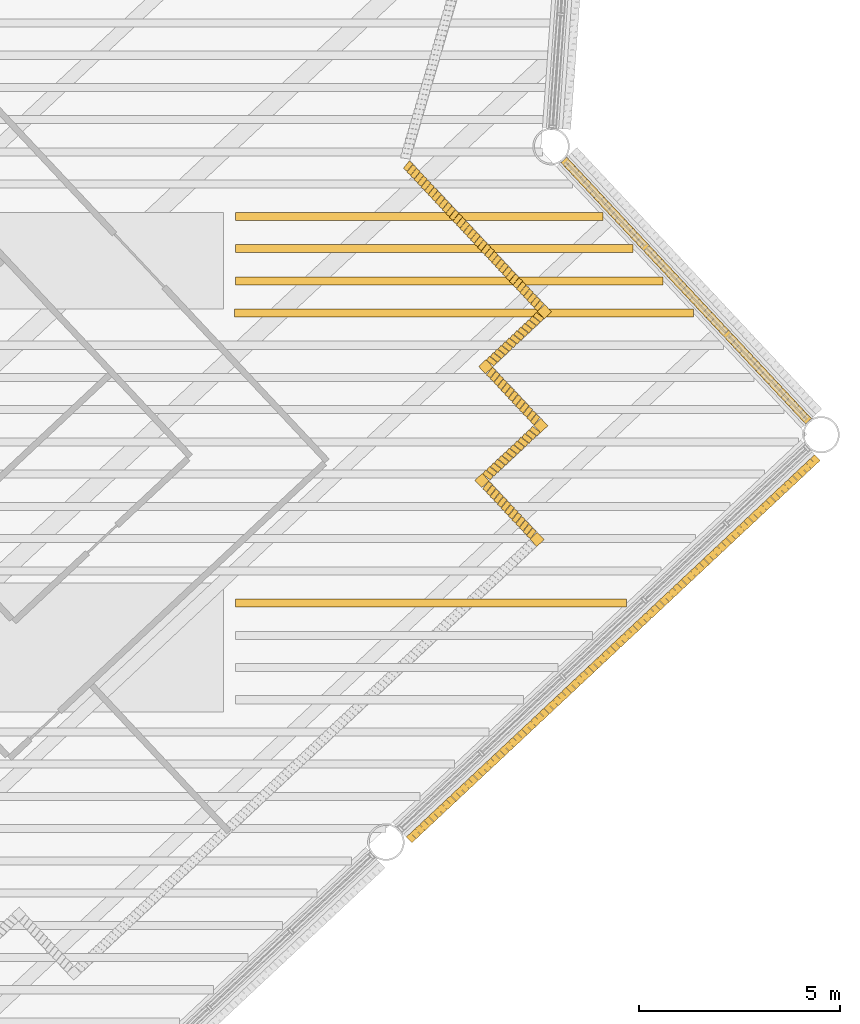
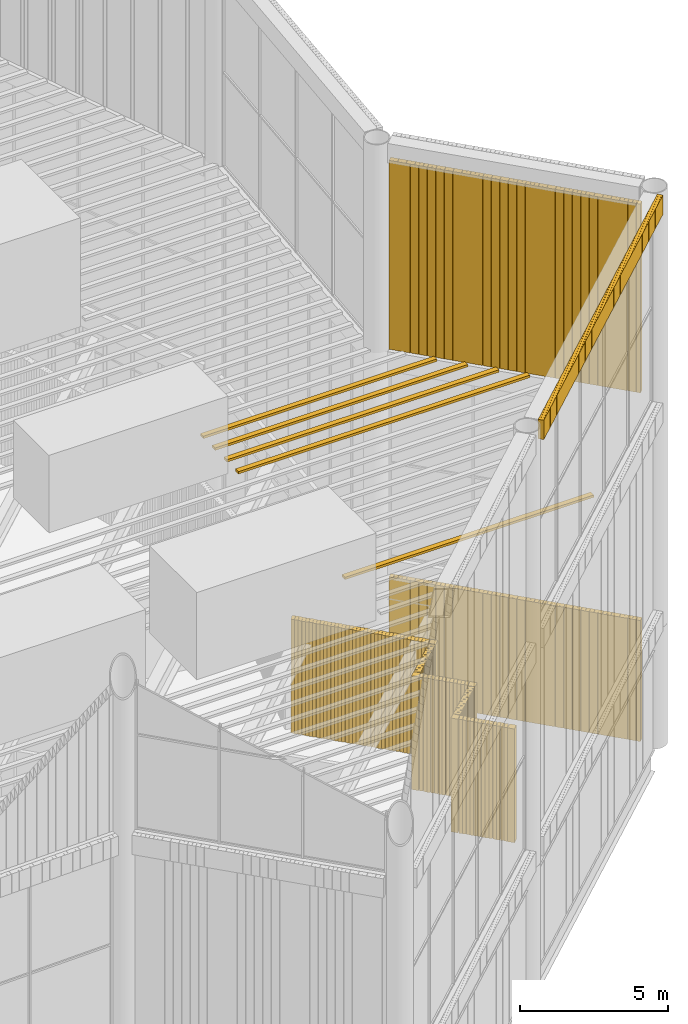
# One storey, part 110 of 117: 15 shading devices, 3 coverings.
"""IFC4 building model written with IfcOpenShell, lengths in metres."""

from ifc_helpers import new_model, si_unit, direction, frame, frame_2d, origin, origin_2d, place, context, subcontext, project, spatial, rectangle, composite_profile, extrude, material, type_object, element, save


model = new_model("IFC4")

# Units and contexts
model_context = context("Model", 3, precision=1e-05, world=origin(), true_north=direction((0.0, 1.0)))
body_context = subcontext(model_context, "Body", "Model", "MODEL_VIEW")
ifc_project = project(units=[si_unit("LENGTHUNIT", "METRE"), si_unit("AREAUNIT", "SQUARE_METRE"), si_unit("VOLUMEUNIT", "CUBIC_METRE"), si_unit("PLANEANGLEUNIT", "RADIAN"), si_unit("MASSUNIT", "GRAM", prefix="KILO")], contexts=[model_context])

# Site, building, storey
site_placement = place(None, origin())
site = spatial("IfcSite", under=ifc_project, at=site_placement, CompositionType="ELEMENT")
building_placement = place(site_placement, origin())
building = spatial("IfcBuilding", under=site, at=building_placement, Name="Tarsis Ring Headquarters", CompositionType="ELEMENT")
storey_placement = place(building_placement, frame((0.0, 0.0, 403.60009765625)))
storey = spatial("IfcBuildingStorey", under=building, at=storey_placement, Name="L95", CompositionType="ELEMENT", Elevation=403.60009765625)

# Coverings
ifc_material_1 = material(Name="Terracotta louvre", Category="masonry")
covering_type = type_object("IfcCoveringType", Name="Crown louvre fin", PredefinedType="CLADDING", material=ifc_material_1)
covering_1_placement = place(storey_placement, frame((34.27734375, -14.95166015625, 0.0), z_axis=(0.0, 0.0, 1.0), x_axis=(-0.683518233743, 0.729926405975, 0.0)))
element("IfcCovering", 1, at=covering_1_placement, inside=storey, type_object=covering_type, Name="Crown louvre base 5", PredefinedType="CLADDING", context=body_context, shape_type="SweptSolid", body=[
    extrude(composite_profile([rectangle(XDim=0.14501953125, YDim=0.199951171875, at=frame_2d((0.072509765625, 0.0))), rectangle(XDim=0.14501953125, YDim=0.199951171875, at=frame_2d((0.223388671875, 0.0))), rectangle(XDim=0.14501953125, YDim=0.199951171875, at=frame_2d((0.3740234375, 0.0))), rectangle(XDim=0.14501953125, YDim=0.199951171875, at=frame_2d((0.52490234375, 0.0))), rectangle(XDim=0.14501953125, YDim=0.199951171875, at=frame_2d((0.675537109375, 0.0))), rectangle(XDim=0.14501953125, YDim=0.199951171875, at=frame_2d((0.826416015625, 0.0))), rectangle(XDim=0.14501953125, YDim=0.199951171875, at=frame_2d((0.977294921875, 0.0))), rectangle(XDim=0.14501953125, YDim=0.199951171875, at=frame_2d((1.1279296875, 0.0))), rectangle(XDim=0.14501953125, YDim=0.199951171875, at=frame_2d((1.27880859375, 0.0))), rectangle(XDim=0.14501953125, YDim=0.199951171875, at=frame_2d((1.4296875, 0.0))), rectangle(XDim=0.14501953125, YDim=0.199951171875, at=frame_2d((1.580322265625, 0.0))), rectangle(XDim=0.14501953125, YDim=0.199951171875, at=frame_2d((1.731201171875, 0.0))), rectangle(XDim=0.14501953125, YDim=0.199951171875, at=frame_2d((1.8818359375, 0.0))), rectangle(XDim=0.14501953125, YDim=0.199951171875, at=frame_2d((2.03271484375, 0.0))), rectangle(XDim=0.14501953125, YDim=0.199951171875, at=frame_2d((2.18359375, 0.0))), rectangle(XDim=0.14501953125, YDim=0.199951171875, at=frame_2d((2.334228515625, 0.0))), rectangle(XDim=0.14501953125, YDim=0.199951171875, at=frame_2d((2.485107421875, 0.0))), rectangle(XDim=0.14501953125, YDim=0.199951171875, at=frame_2d((2.635986328125, 0.0))), rectangle(XDim=0.14501953125, YDim=0.199951171875, at=frame_2d((2.78662109375, 0.0))), rectangle(XDim=0.14501953125, YDim=0.199951171875, at=frame_2d((2.9375, 0.0))), rectangle(XDim=0.14501953125, YDim=0.199951171875, at=frame_2d((3.088134765625, 0.0))), rectangle(XDim=0.14501953125, YDim=0.199951171875, at=frame_2d((3.239013671875, 0.0))), rectangle(XDim=0.14501953125, YDim=0.199951171875, at=frame_2d((3.389892578125, 0.0))), rectangle(XDim=0.14501953125, YDim=0.199951171875, at=frame_2d((3.54052734375, 0.0))), rectangle(XDim=0.14501953125, YDim=0.199951171875, at=frame_2d((3.69140625, 0.0))), rectangle(XDim=0.14501953125, YDim=0.199951171875, at=frame_2d((3.84228515625, 0.0))), rectangle(XDim=0.14501953125, YDim=0.199951171875, at=frame_2d((3.992919921875, 0.0))), rectangle(XDim=0.14501953125, YDim=0.199951171875, at=frame_2d((4.143798828125, 0.0))), rectangle(XDim=0.14501953125, YDim=0.199951171875, at=frame_2d((4.29443359375, 0.0))), rectangle(XDim=0.14501953125, YDim=0.199951171875, at=frame_2d((4.4453125, 0.0))), rectangle(XDim=0.14501953125, YDim=0.199951171875, at=frame_2d((4.59619140625, 0.0))), rectangle(XDim=0.14501953125, YDim=0.199951171875, at=frame_2d((4.746826171875, 0.0))), rectangle(XDim=0.14501953125, YDim=0.199951171875, at=frame_2d((4.897705078125, 0.0))), rectangle(XDim=0.14501953125, YDim=0.199951171875, at=frame_2d((5.04833984375, 0.0))), rectangle(XDim=0.14501953125, YDim=0.199951171875, at=frame_2d((5.19921875, 0.0))), rectangle(XDim=0.14501953125, YDim=0.199951171875, at=frame_2d((5.35009765625, 0.0))), rectangle(XDim=0.14501953125, YDim=0.199951171875, at=frame_2d((5.500732421875, 0.0))), rectangle(XDim=0.14501953125, YDim=0.199951171875, at=frame_2d((5.651611328125, 0.0))), rectangle(XDim=0.14501953125, YDim=0.199951171875, at=frame_2d((5.802490234375, 0.0))), rectangle(XDim=0.14501953125, YDim=0.199951171875, at=frame_2d((5.953125, 0.0))), rectangle(XDim=0.14501953125, YDim=0.199951171875, at=frame_2d((6.10400390625, 0.0))), rectangle(XDim=0.14501953125, YDim=0.199951171875, at=frame_2d((6.254638671875, 0.0))), rectangle(XDim=0.14501953125, YDim=0.199951171875, at=frame_2d((6.405517578125, 0.0))), rectangle(XDim=0.14501953125, YDim=0.199951171875, at=frame_2d((6.556396484375, 0.0))), rectangle(XDim=0.14501953125, YDim=0.199951171875, at=frame_2d((6.70703125, 0.0))), rectangle(XDim=0.14501953125, YDim=0.199951171875, at=frame_2d((6.85791015625, 0.0))), rectangle(XDim=0.14501953125, YDim=0.199951171875, at=frame_2d((7.0087890625, 0.0))), rectangle(XDim=0.14501953125, YDim=0.199951171875, at=frame_2d((7.159423828125, 0.0))), rectangle(XDim=0.14501953125, YDim=0.199951171875, at=frame_2d((7.310302734375, 0.0))), rectangle(XDim=0.14501953125, YDim=0.199951171875, at=frame_2d((7.4609375, 0.0))), rectangle(XDim=0.14501953125, YDim=0.199951171875, at=frame_2d((7.61181640625, 0.0))), rectangle(XDim=0.14501953125, YDim=0.199951171875, at=frame_2d((7.7626953125, 0.0))), rectangle(XDim=0.14501953125, YDim=0.199951171875, at=frame_2d((7.913330078125, 0.0))), rectangle(XDim=0.14501953125, YDim=0.199951171875, at=frame_2d((8.064208984375, 0.0))), rectangle(XDim=0.14501953125, YDim=0.199951171875, at=frame_2d((8.215087890625, 0.0))), rectangle(XDim=0.14501953125, YDim=0.199951171875, at=frame_2d((8.36572265625, 0.0))), rectangle(XDim=0.14501953125, YDim=0.199951171875, at=frame_2d((8.5166015625, 0.0))), rectangle(XDim=0.14501953125, YDim=0.199951171875, at=frame_2d((8.667236328125, 0.0))), rectangle(XDim=0.14501953125, YDim=0.199951171875, at=frame_2d((8.818115234375, 0.0)))]), origin(), (0.0, 0.0, 1.0), 5.0),
])
covering_2_placement = place(storey_placement, frame((24.359619140625, -25.344482421875, 22.199951171875), z_axis=(0.0, 0.0, 1.0), x_axis=(0.729925980625, 0.683527612216, 0.0)))
element("IfcCovering", 2, at=covering_2_placement, inside=storey, type_object=covering_type, Name="Crown louvre fascia T4", PredefinedType="CLADDING", context=body_context, shape_type="SweptSolid", body=[
    extrude(composite_profile([rectangle(XDim=0.14501953125, YDim=0.199951171875, at=frame_2d((0.072509765625, 0.0))), rectangle(XDim=0.14501953125, YDim=0.199951171875, at=frame_2d((0.223388671875, 0.0))), rectangle(XDim=0.14501953125, YDim=0.199951171875, at=frame_2d((0.37451171875, 0.0))), rectangle(XDim=0.14501953125, YDim=0.199951171875, at=frame_2d((0.525390625, 0.0))), rectangle(XDim=0.14501953125, YDim=0.199951171875, at=frame_2d((0.676513671875, 0.0))), rectangle(XDim=0.14501953125, YDim=0.199951171875, at=frame_2d((0.827392578125, 0.0))), rectangle(XDim=0.14501953125, YDim=0.199951171875, at=frame_2d((0.978515625, 0.0))), rectangle(XDim=0.14501953125, YDim=0.199951171875, at=frame_2d((1.12939453125, 0.0))), rectangle(XDim=0.14501953125, YDim=0.199951171875, at=frame_2d((1.280517578125, 0.0))), rectangle(XDim=0.14501953125, YDim=0.199951171875, at=frame_2d((1.431396484375, 0.0))), rectangle(XDim=0.14501953125, YDim=0.199951171875, at=frame_2d((1.58251953125, 0.0))), rectangle(XDim=0.14501953125, YDim=0.199951171875, at=frame_2d((1.7333984375, 0.0))), rectangle(XDim=0.14501953125, YDim=0.199951171875, at=frame_2d((1.884521484375, 0.0))), rectangle(XDim=0.14501953125, YDim=0.199951171875, at=frame_2d((2.035400390625, 0.0))), rectangle(XDim=0.14501953125, YDim=0.199951171875, at=frame_2d((2.1865234375, 0.0))), rectangle(XDim=0.14501953125, YDim=0.199951171875, at=frame_2d((2.33740234375, 0.0))), rectangle(XDim=0.14501953125, YDim=0.199951171875, at=frame_2d((2.488525390625, 0.0))), rectangle(XDim=0.14501953125, YDim=0.199951171875, at=frame_2d((2.639404296875, 0.0))), rectangle(XDim=0.14501953125, YDim=0.199951171875, at=frame_2d((2.79052734375, 0.0))), rectangle(XDim=0.14501953125, YDim=0.199951171875, at=frame_2d((2.94140625, 0.0))), rectangle(XDim=0.14501953125, YDim=0.199951171875, at=frame_2d((3.092529296875, 0.0))), rectangle(XDim=0.14501953125, YDim=0.199951171875, at=frame_2d((3.243408203125, 0.0))), rectangle(XDim=0.14501953125, YDim=0.199951171875, at=frame_2d((3.39453125, 0.0))), rectangle(XDim=0.14501953125, YDim=0.199951171875, at=frame_2d((3.54541015625, 0.0))), rectangle(XDim=0.14501953125, YDim=0.199951171875, at=frame_2d((3.696533203125, 0.0))), rectangle(XDim=0.14501953125, YDim=0.199951171875, at=frame_2d((3.847412109375, 0.0))), rectangle(XDim=0.14501953125, YDim=0.199951171875, at=frame_2d((3.99853515625, 0.0))), rectangle(XDim=0.14501953125, YDim=0.199951171875, at=frame_2d((4.1494140625, 0.0))), rectangle(XDim=0.14501953125, YDim=0.199951171875, at=frame_2d((4.300537109375, 0.0))), rectangle(XDim=0.14501953125, YDim=0.199951171875, at=frame_2d((4.451416015625, 0.0))), rectangle(XDim=0.14501953125, YDim=0.199951171875, at=frame_2d((4.6025390625, 0.0))), rectangle(XDim=0.14501953125, YDim=0.199951171875, at=frame_2d((4.75341796875, 0.0))), rectangle(XDim=0.14501953125, YDim=0.199951171875, at=frame_2d((4.904541015625, 0.0))), rectangle(XDim=0.14501953125, YDim=0.199951171875, at=frame_2d((5.055419921875, 0.0))), rectangle(XDim=0.14501953125, YDim=0.199951171875, at=frame_2d((5.20654296875, 0.0))), rectangle(XDim=0.14501953125, YDim=0.199951171875, at=frame_2d((5.357421875, 0.0))), rectangle(XDim=0.14501953125, YDim=0.199951171875, at=frame_2d((5.508544921875, 0.0))), rectangle(XDim=0.14501953125, YDim=0.199951171875, at=frame_2d((5.659423828125, 0.0))), rectangle(XDim=0.14501953125, YDim=0.199951171875, at=frame_2d((5.810546875, 0.0))), rectangle(XDim=0.14501953125, YDim=0.199951171875, at=frame_2d((5.96142578125, 0.0))), rectangle(XDim=0.14501953125, YDim=0.199951171875, at=frame_2d((6.112548828125, 0.0))), rectangle(XDim=0.14501953125, YDim=0.199951171875, at=frame_2d((6.263427734375, 0.0))), rectangle(XDim=0.14501953125, YDim=0.199951171875, at=frame_2d((6.41455078125, 0.0))), rectangle(XDim=0.14501953125, YDim=0.199951171875, at=frame_2d((6.5654296875, 0.0))), rectangle(XDim=0.14501953125, YDim=0.199951171875, at=frame_2d((6.716552734375, 0.0))), rectangle(XDim=0.14501953125, YDim=0.199951171875, at=frame_2d((6.867431640625, 0.0))), rectangle(XDim=0.14501953125, YDim=0.199951171875, at=frame_2d((7.0185546875, 0.0))), rectangle(XDim=0.14501953125, YDim=0.199951171875, at=frame_2d((7.16943359375, 0.0))), rectangle(XDim=0.14501953125, YDim=0.199951171875, at=frame_2d((7.320556640625, 0.0))), rectangle(XDim=0.14501953125, YDim=0.199951171875, at=frame_2d((7.471435546875, 0.0))), rectangle(XDim=0.14501953125, YDim=0.199951171875, at=frame_2d((7.62255859375, 0.0))), rectangle(XDim=0.14501953125, YDim=0.199951171875, at=frame_2d((7.7734375, 0.0))), rectangle(XDim=0.14501953125, YDim=0.199951171875, at=frame_2d((7.924560546875, 0.0))), rectangle(XDim=0.14501953125, YDim=0.199951171875, at=frame_2d((8.075439453125, 0.0))), rectangle(XDim=0.14501953125, YDim=0.199951171875, at=frame_2d((8.2265625, 0.0))), rectangle(XDim=0.14501953125, YDim=0.199951171875, at=frame_2d((8.37744140625, 0.0))), rectangle(XDim=0.14501953125, YDim=0.199951171875, at=frame_2d((8.528564453125, 0.0))), rectangle(XDim=0.14501953125, YDim=0.199951171875, at=frame_2d((8.679443359375, 0.0))), rectangle(XDim=0.14501953125, YDim=0.199951171875, at=frame_2d((8.83056640625, 0.0))), rectangle(XDim=0.14501953125, YDim=0.199951171875, at=frame_2d((8.9814453125, 0.0))), rectangle(XDim=0.14501953125, YDim=0.199951171875, at=frame_2d((9.132568359375, 0.0))), rectangle(XDim=0.14501953125, YDim=0.199951171875, at=frame_2d((9.283447265625, 0.0))), rectangle(XDim=0.14501953125, YDim=0.199951171875, at=frame_2d((9.4345703125, 0.0))), rectangle(XDim=0.14501953125, YDim=0.199951171875, at=frame_2d((9.58544921875, 0.0))), rectangle(XDim=0.14501953125, YDim=0.199951171875, at=frame_2d((9.736572265625, 0.0))), rectangle(XDim=0.14501953125, YDim=0.199951171875, at=frame_2d((9.887451171875, 0.0))), rectangle(XDim=0.14501953125, YDim=0.199951171875, at=frame_2d((10.03857421875, 0.0))), rectangle(XDim=0.14501953125, YDim=0.199951171875, at=frame_2d((10.189453125, 0.0))), rectangle(XDim=0.14501953125, YDim=0.199951171875, at=frame_2d((10.340576171875, 0.0))), rectangle(XDim=0.14501953125, YDim=0.199951171875, at=frame_2d((10.491455078125, 0.0))), rectangle(XDim=0.14501953125, YDim=0.199951171875, at=frame_2d((10.642578125, 0.0))), rectangle(XDim=0.14501953125, YDim=0.199951171875, at=frame_2d((10.79345703125, 0.0))), rectangle(XDim=0.14501953125, YDim=0.199951171875, at=frame_2d((10.944580078125, 0.0))), rectangle(XDim=0.14501953125, YDim=0.199951171875, at=frame_2d((11.095458984375, 0.0))), rectangle(XDim=0.14501953125, YDim=0.199951171875, at=frame_2d((11.24658203125, 0.0))), rectangle(XDim=0.14501953125, YDim=0.199951171875, at=frame_2d((11.3974609375, 0.0))), rectangle(XDim=0.14501953125, YDim=0.199951171875, at=frame_2d((11.548583984375, 0.0))), rectangle(XDim=0.14501953125, YDim=0.199951171875, at=frame_2d((11.699462890625, 0.0))), rectangle(XDim=0.14501953125, YDim=0.199951171875, at=frame_2d((11.8505859375, 0.0))), rectangle(XDim=0.14501953125, YDim=0.199951171875, at=frame_2d((12.00146484375, 0.0))), rectangle(XDim=0.14501953125, YDim=0.199951171875, at=frame_2d((12.152587890625, 0.0))), rectangle(XDim=0.14501953125, YDim=0.199951171875, at=frame_2d((12.303466796875, 0.0))), rectangle(XDim=0.14501953125, YDim=0.199951171875, at=frame_2d((12.45458984375, 0.0))), rectangle(XDim=0.14501953125, YDim=0.199951171875, at=frame_2d((12.60546875, 0.0))), rectangle(XDim=0.14501953125, YDim=0.199951171875, at=frame_2d((12.756591796875, 0.0))), rectangle(XDim=0.14501953125, YDim=0.199951171875, at=frame_2d((12.907470703125, 0.0))), rectangle(XDim=0.14501953125, YDim=0.199951171875, at=frame_2d((13.05859375, 0.0))), rectangle(XDim=0.14501953125, YDim=0.199951171875, at=frame_2d((13.20947265625, 0.0))), rectangle(XDim=0.14501953125, YDim=0.199951171875, at=frame_2d((13.360595703125, 0.0))), rectangle(XDim=0.14501953125, YDim=0.199951171875, at=frame_2d((13.511474609375, 0.0))), rectangle(XDim=0.14501953125, YDim=0.199951171875, at=frame_2d((13.66259765625, 0.0))), rectangle(XDim=0.14501953125, YDim=0.199951171875, at=frame_2d((13.8134765625, 0.0)))]), origin(), (0.0, 0.0, 1.0), 0.800048828125),
])
covering_3_placement = place(storey_placement, frame((34.27734375, -14.95166015625, 14.39990234375), z_axis=(0.0, 0.0, 1.0), x_axis=(-0.683518233743, 0.729926405975, 0.0)))
element("IfcCovering", 3, at=covering_3_placement, inside=storey, type_object=covering_type, Name="Crown louvre U5", PredefinedType="CLADDING", context=body_context, shape_type="SweptSolid", body=[
    extrude(composite_profile([rectangle(XDim=0.14501953125, YDim=0.199951171875, at=frame_2d((0.072509765625, 0.0))), rectangle(XDim=0.14501953125, YDim=0.199951171875, at=frame_2d((0.223388671875, 0.0))), rectangle(XDim=0.14501953125, YDim=0.199951171875, at=frame_2d((0.3740234375, 0.0))), rectangle(XDim=0.14501953125, YDim=0.199951171875, at=frame_2d((0.52490234375, 0.0))), rectangle(XDim=0.14501953125, YDim=0.199951171875, at=frame_2d((0.675537109375, 0.0))), rectangle(XDim=0.14501953125, YDim=0.199951171875, at=frame_2d((0.826416015625, 0.0))), rectangle(XDim=0.14501953125, YDim=0.199951171875, at=frame_2d((0.977294921875, 0.0))), rectangle(XDim=0.14501953125, YDim=0.199951171875, at=frame_2d((1.1279296875, 0.0))), rectangle(XDim=0.14501953125, YDim=0.199951171875, at=frame_2d((1.27880859375, 0.0))), rectangle(XDim=0.14501953125, YDim=0.199951171875, at=frame_2d((1.4296875, 0.0))), rectangle(XDim=0.14501953125, YDim=0.199951171875, at=frame_2d((1.580322265625, 0.0))), rectangle(XDim=0.14501953125, YDim=0.199951171875, at=frame_2d((1.731201171875, 0.0))), rectangle(XDim=0.14501953125, YDim=0.199951171875, at=frame_2d((1.8818359375, 0.0))), rectangle(XDim=0.14501953125, YDim=0.199951171875, at=frame_2d((2.03271484375, 0.0))), rectangle(XDim=0.14501953125, YDim=0.199951171875, at=frame_2d((2.18359375, 0.0))), rectangle(XDim=0.14501953125, YDim=0.199951171875, at=frame_2d((2.334228515625, 0.0))), rectangle(XDim=0.14501953125, YDim=0.199951171875, at=frame_2d((2.485107421875, 0.0))), rectangle(XDim=0.14501953125, YDim=0.199951171875, at=frame_2d((2.635986328125, 0.0))), rectangle(XDim=0.14501953125, YDim=0.199951171875, at=frame_2d((2.78662109375, 0.0))), rectangle(XDim=0.14501953125, YDim=0.199951171875, at=frame_2d((2.9375, 0.0))), rectangle(XDim=0.14501953125, YDim=0.199951171875, at=frame_2d((3.088134765625, 0.0))), rectangle(XDim=0.14501953125, YDim=0.199951171875, at=frame_2d((3.239013671875, 0.0))), rectangle(XDim=0.14501953125, YDim=0.199951171875, at=frame_2d((3.389892578125, 0.0))), rectangle(XDim=0.14501953125, YDim=0.199951171875, at=frame_2d((3.54052734375, 0.0))), rectangle(XDim=0.14501953125, YDim=0.199951171875, at=frame_2d((3.69140625, 0.0))), rectangle(XDim=0.14501953125, YDim=0.199951171875, at=frame_2d((3.84228515625, 0.0))), rectangle(XDim=0.14501953125, YDim=0.199951171875, at=frame_2d((3.992919921875, 0.0))), rectangle(XDim=0.14501953125, YDim=0.199951171875, at=frame_2d((4.143798828125, 0.0))), rectangle(XDim=0.14501953125, YDim=0.199951171875, at=frame_2d((4.29443359375, 0.0))), rectangle(XDim=0.14501953125, YDim=0.199951171875, at=frame_2d((4.4453125, 0.0))), rectangle(XDim=0.14501953125, YDim=0.199951171875, at=frame_2d((4.59619140625, 0.0))), rectangle(XDim=0.14501953125, YDim=0.199951171875, at=frame_2d((4.746826171875, 0.0))), rectangle(XDim=0.14501953125, YDim=0.199951171875, at=frame_2d((4.897705078125, 0.0))), rectangle(XDim=0.14501953125, YDim=0.199951171875, at=frame_2d((5.04833984375, 0.0))), rectangle(XDim=0.14501953125, YDim=0.199951171875, at=frame_2d((5.19921875, 0.0))), rectangle(XDim=0.14501953125, YDim=0.199951171875, at=frame_2d((5.35009765625, 0.0))), rectangle(XDim=0.14501953125, YDim=0.199951171875, at=frame_2d((5.500732421875, 0.0))), rectangle(XDim=0.14501953125, YDim=0.199951171875, at=frame_2d((5.651611328125, 0.0))), rectangle(XDim=0.14501953125, YDim=0.199951171875, at=frame_2d((5.802490234375, 0.0))), rectangle(XDim=0.14501953125, YDim=0.199951171875, at=frame_2d((5.953125, 0.0))), rectangle(XDim=0.14501953125, YDim=0.199951171875, at=frame_2d((6.10400390625, 0.0))), rectangle(XDim=0.14501953125, YDim=0.199951171875, at=frame_2d((6.254638671875, 0.0))), rectangle(XDim=0.14501953125, YDim=0.199951171875, at=frame_2d((6.405517578125, 0.0))), rectangle(XDim=0.14501953125, YDim=0.199951171875, at=frame_2d((6.556396484375, 0.0))), rectangle(XDim=0.14501953125, YDim=0.199951171875, at=frame_2d((6.70703125, 0.0))), rectangle(XDim=0.14501953125, YDim=0.199951171875, at=frame_2d((6.85791015625, 0.0))), rectangle(XDim=0.14501953125, YDim=0.199951171875, at=frame_2d((7.0087890625, 0.0))), rectangle(XDim=0.14501953125, YDim=0.199951171875, at=frame_2d((7.159423828125, 0.0))), rectangle(XDim=0.14501953125, YDim=0.199951171875, at=frame_2d((7.310302734375, 0.0))), rectangle(XDim=0.14501953125, YDim=0.199951171875, at=frame_2d((7.4609375, 0.0))), rectangle(XDim=0.14501953125, YDim=0.199951171875, at=frame_2d((7.61181640625, 0.0))), rectangle(XDim=0.14501953125, YDim=0.199951171875, at=frame_2d((7.7626953125, 0.0))), rectangle(XDim=0.14501953125, YDim=0.199951171875, at=frame_2d((7.913330078125, 0.0))), rectangle(XDim=0.14501953125, YDim=0.199951171875, at=frame_2d((8.064208984375, 0.0))), rectangle(XDim=0.14501953125, YDim=0.199951171875, at=frame_2d((8.215087890625, 0.0))), rectangle(XDim=0.14501953125, YDim=0.199951171875, at=frame_2d((8.36572265625, 0.0))), rectangle(XDim=0.14501953125, YDim=0.199951171875, at=frame_2d((8.5166015625, 0.0))), rectangle(XDim=0.14501953125, YDim=0.199951171875, at=frame_2d((8.667236328125, 0.0))), rectangle(XDim=0.14501953125, YDim=0.199951171875, at=frame_2d((8.818115234375, 0.0)))]), origin(), (0.0, 0.0, 1.0), 7.800048828125),
])

# Shading devices
ifc_material_2 = material(Name="Aluminium louvre", Category="aluminium")
shading_device_type_1 = type_object("IfcShadingDeviceType", Name="Crown roof louvre blade", PredefinedType="USERDEFINED", material=ifc_material_2)
shading_device_1_placement = place(storey_placement, frame((24.904296875, -19.464111328125, 14.39990234375), z_axis=(0.0, 0.0, 1.0), x_axis=(1.0, 0.0, 0.0)))
element("IfcShadingDevice", 4, at=shading_device_1_placement, inside=storey, type_object=shading_device_type_1, Name="Crown roof louvre 38", ObjectType="Crown roof louvre", PredefinedType="USERDEFINED", context=body_context, shape_type="SweptSolid", body=[
    extrude(rectangle(XDim=9.713623046875, YDim=0.199951171875, at=origin_2d()), origin(), (0.0, 0.0, 1.0), 0.10009765625),
])
shading_device_2_placement = place(storey_placement, frame((25.72412109375, -12.26416015625, 14.39990234375), z_axis=(0.0, 0.0, 1.0), x_axis=(1.0, 0.0, 0.0)))
element("IfcShadingDevice", 5, at=shading_device_2_placement, inside=storey, type_object=shading_device_type_1, Name="Crown roof louvre 48", ObjectType="Crown roof louvre", PredefinedType="USERDEFINED", context=body_context, shape_type="SweptSolid", body=[
    extrude(rectangle(XDim=11.38818359375, YDim=0.199951171875, at=origin_2d()), origin(), (0.0, 0.0, 1.0), 0.10009765625),
])
shading_device_3_placement = place(storey_placement, frame((25.3583984375, -11.464111328125, 14.39990234375), z_axis=(0.0, 0.0, 1.0), x_axis=(1.0, 0.0, 0.0)))
element("IfcShadingDevice", 6, at=shading_device_3_placement, inside=storey, type_object=shading_device_type_1, Name="Crown roof louvre 50", ObjectType="Crown roof louvre", PredefinedType="USERDEFINED", context=body_context, shape_type="SweptSolid", body=[
    extrude(rectangle(XDim=10.62158203125, YDim=0.199951171875, at=origin_2d()), origin(), (0.0, 0.0, 1.0), 0.10009765625),
])
shading_device_4_placement = place(storey_placement, frame((24.98388671875, -10.664306640625, 14.39990234375), z_axis=(0.0, 0.0, 1.0), x_axis=(1.0, 0.0, 0.0)))
element("IfcShadingDevice", 7, at=shading_device_4_placement, inside=storey, type_object=shading_device_type_1, Name="Crown roof louvre 52", ObjectType="Crown roof louvre", PredefinedType="USERDEFINED", context=body_context, shape_type="SweptSolid", body=[
    extrude(rectangle(XDim=9.872314453125, YDim=0.199951171875, at=origin_2d()), origin(), (0.0, 0.0, 1.0), 0.10009765625),
])
shading_device_5_placement = place(storey_placement, frame((24.609130859375, -9.8642578125, 14.39990234375), z_axis=(0.0, 0.0, 1.0), x_axis=(1.0, 0.0, 0.0)))
element("IfcShadingDevice", 8, at=shading_device_5_placement, inside=storey, type_object=shading_device_type_1, Name="Crown roof louvre 54", ObjectType="Crown roof louvre", PredefinedType="USERDEFINED", context=body_context, shape_type="SweptSolid", body=[
    extrude(rectangle(XDim=9.123291015625, YDim=0.199951171875, at=origin_2d()), origin(), (0.0, 0.0, 1.0), 0.10009765625),
])
shading_device_type_2 = type_object("IfcShadingDeviceType", Name="Plant louvre fin", PredefinedType="USERDEFINED", material=ifc_material_2)
for number, where, z_axis, x_axis, name in (
    (9, (27.4501953125, -17.792236328125, 0.0), (0.0, 0.0, 1.0), (-0.68359375, 0.729910714286, 0.0), "Louvre L95-12"),
    (10, (26.259765625, -16.338134765625, 0.0), (0.0, 0.0, 1.0), (0.729910714286, 0.683454241071, 0.0), "Louvre L95-13"),
    (11, (27.54296875, -14.96533203125, 0.0), (0.0, 0.0, 1.0), (-0.68359375, 0.729910714286, 0.0), "Louvre L95-14"),
    (12, (26.3525390625, -13.51123046875, 0.0), (0.0, 0.0, 1.0), (0.729910714286, 0.683454241071, 0.0), "Louvre L95-15"),
):
    element("IfcShadingDevice", number, at=place(storey_placement, frame(where, z_axis=z_axis, x_axis=x_axis)), inside=storey, type_object=shading_device_type_2, Name=name, ObjectType="Louvre", PredefinedType="USERDEFINED", context=body_context, shape_type="SweptSolid", body=[
        extrude(composite_profile([rectangle(XDim=0.1201171875, YDim=0.239990234375, at=frame_2d((0.078125, 0.0), x_axis=(0.987688340595, 0.15643446504))), rectangle(XDim=0.1201171875, YDim=0.239990234375, at=frame_2d((0.2109375, 0.0), x_axis=(0.987688340595, 0.15643446504))), rectangle(XDim=0.1201171875, YDim=0.239990234375, at=frame_2d((0.34375, 0.0), x_axis=(0.987688340595, 0.15643446504))), rectangle(XDim=0.1201171875, YDim=0.239990234375, at=frame_2d((0.4765625, 0.0), x_axis=(0.987688340595, 0.15643446504))), rectangle(XDim=0.1201171875, YDim=0.239990234375, at=frame_2d((0.609375, 0.0), x_axis=(0.987688340595, 0.15643446504))), rectangle(XDim=0.1201171875, YDim=0.239990234375, at=frame_2d((0.7421875, 0.0), x_axis=(0.987688340595, 0.15643446504))), rectangle(XDim=0.1201171875, YDim=0.239990234375, at=frame_2d((0.875, 0.0), x_axis=(0.987688340595, 0.15643446504))), rectangle(XDim=0.1201171875, YDim=0.239990234375, at=frame_2d((1.0078125, 0.0), x_axis=(0.987688340595, 0.15643446504))), rectangle(XDim=0.1201171875, YDim=0.239990234375, at=frame_2d((1.140625, 0.0), x_axis=(0.987688340595, 0.15643446504))), rectangle(XDim=0.1201171875, YDim=0.239990234375, at=frame_2d((1.2734375, 0.0), x_axis=(0.987688340595, 0.15643446504))), rectangle(XDim=0.1201171875, YDim=0.239990234375, at=frame_2d((1.40625, 0.0), x_axis=(0.987688340595, 0.15643446504))), rectangle(XDim=0.1201171875, YDim=0.239990234375, at=frame_2d((1.5390625, 0.0), x_axis=(0.987688340595, 0.15643446504))), rectangle(XDim=0.1201171875, YDim=0.239990234375, at=frame_2d((1.671875, 0.0), x_axis=(0.987688340595, 0.15643446504)))]), origin(), (0.0, 0.0, 1.0), 4.699951171875),
    ])
shading_device_6_placement = place(storey_placement, frame((27.6357421875, -12.138427734375, 0.0), z_axis=(0.0, 0.0, 1.0), x_axis=(-0.683502689779, 0.729926280135, 0.0)))
element("IfcShadingDevice", 13, at=shading_device_6_placement, inside=storey, type_object=shading_device_type_2, Name="Louvre L95-16", ObjectType="Louvre", PredefinedType="USERDEFINED", context=body_context, shape_type="SweptSolid", body=[
    extrude(composite_profile([rectangle(XDim=0.1201171875, YDim=0.239990234375, at=frame_2d((0.076171875, 0.0), x_axis=(0.990268068742, 0.13917310096))), rectangle(XDim=0.1201171875, YDim=0.239990234375, at=frame_2d((0.20458984375, 0.0), x_axis=(0.990268068742, 0.13917310096))), rectangle(XDim=0.1201171875, YDim=0.239990234375, at=frame_2d((0.332763671875, 0.0), x_axis=(0.990268068742, 0.13917310096))), rectangle(XDim=0.1201171875, YDim=0.239990234375, at=frame_2d((0.461181640625, 0.0), x_axis=(0.990268068742, 0.13917310096))), rectangle(XDim=0.1201171875, YDim=0.239990234375, at=frame_2d((0.589599609375, 0.0), x_axis=(0.990268068742, 0.13917310096))), rectangle(XDim=0.1201171875, YDim=0.239990234375, at=frame_2d((0.718017578125, 0.0), x_axis=(0.990268068742, 0.13917310096))), rectangle(XDim=0.1201171875, YDim=0.239990234375, at=frame_2d((0.84619140625, 0.0), x_axis=(0.990268068742, 0.13917310096))), rectangle(XDim=0.1201171875, YDim=0.239990234375, at=frame_2d((0.974609375, 0.0), x_axis=(0.990268068742, 0.13917310096))), rectangle(XDim=0.1201171875, YDim=0.239990234375, at=frame_2d((1.10302734375, 0.0), x_axis=(0.990268068742, 0.13917310096))), rectangle(XDim=0.1201171875, YDim=0.239990234375, at=frame_2d((1.231201171875, 0.0), x_axis=(0.990268068742, 0.13917310096))), rectangle(XDim=0.1201171875, YDim=0.239990234375, at=frame_2d((1.359619140625, 0.0), x_axis=(0.990268068742, 0.13917310096))), rectangle(XDim=0.1201171875, YDim=0.239990234375, at=frame_2d((1.488037109375, 0.0), x_axis=(0.990268068742, 0.13917310096))), rectangle(XDim=0.1201171875, YDim=0.239990234375, at=frame_2d((1.6162109375, 0.0), x_axis=(0.990268068742, 0.13917310096))), rectangle(XDim=0.1201171875, YDim=0.239990234375, at=frame_2d((1.74462890625, 0.0), x_axis=(0.990268068742, 0.13917310096))), rectangle(XDim=0.1201171875, YDim=0.239990234375, at=frame_2d((1.873046875, 0.0), x_axis=(0.990268068742, 0.13917310096))), rectangle(XDim=0.1201171875, YDim=0.239990234375, at=frame_2d((2.00146484375, 0.0), x_axis=(0.990268068742, 0.13917310096))), rectangle(XDim=0.1201171875, YDim=0.239990234375, at=frame_2d((2.129638671875, 0.0), x_axis=(0.990268068742, 0.13917310096))), rectangle(XDim=0.1201171875, YDim=0.239990234375, at=frame_2d((2.258056640625, 0.0), x_axis=(0.990268068742, 0.13917310096))), rectangle(XDim=0.1201171875, YDim=0.239990234375, at=frame_2d((2.386474609375, 0.0), x_axis=(0.990268068742, 0.13917310096))), rectangle(XDim=0.1201171875, YDim=0.239990234375, at=frame_2d((2.5146484375, 0.0), x_axis=(0.990268068742, 0.13917310096))), rectangle(XDim=0.1201171875, YDim=0.239990234375, at=frame_2d((2.64306640625, 0.0), x_axis=(0.990268068742, 0.13917310096))), rectangle(XDim=0.1201171875, YDim=0.239990234375, at=frame_2d((2.771484375, 0.0), x_axis=(0.990268068742, 0.13917310096))), rectangle(XDim=0.1201171875, YDim=0.239990234375, at=frame_2d((2.899658203125, 0.0), x_axis=(0.990268068742, 0.13917310096))), rectangle(XDim=0.1201171875, YDim=0.239990234375, at=frame_2d((3.028076171875, 0.0), x_axis=(0.990268068742, 0.13917310096))), rectangle(XDim=0.1201171875, YDim=0.239990234375, at=frame_2d((3.156494140625, 0.0), x_axis=(0.990268068742, 0.13917310096))), rectangle(XDim=0.1201171875, YDim=0.239990234375, at=frame_2d((3.284912109375, 0.0), x_axis=(0.990268068742, 0.13917310096))), rectangle(XDim=0.1201171875, YDim=0.239990234375, at=frame_2d((3.4130859375, 0.0), x_axis=(0.990268068742, 0.13917310096))), rectangle(XDim=0.1201171875, YDim=0.239990234375, at=frame_2d((3.54150390625, 0.0), x_axis=(0.990268068742, 0.13917310096))), rectangle(XDim=0.1201171875, YDim=0.239990234375, at=frame_2d((3.669921875, 0.0), x_axis=(0.990268068742, 0.13917310096))), rectangle(XDim=0.1201171875, YDim=0.239990234375, at=frame_2d((3.798095703125, 0.0), x_axis=(0.990268068742, 0.13917310096))), rectangle(XDim=0.1201171875, YDim=0.239990234375, at=frame_2d((3.926513671875, 0.0), x_axis=(0.990268068742, 0.13917310096))), rectangle(XDim=0.1201171875, YDim=0.239990234375, at=frame_2d((4.054931640625, 0.0), x_axis=(0.990268068742, 0.13917310096))), rectangle(XDim=0.1201171875, YDim=0.239990234375, at=frame_2d((4.18310546875, 0.0), x_axis=(0.990268068742, 0.13917310096))), rectangle(XDim=0.1201171875, YDim=0.239990234375, at=frame_2d((4.3115234375, 0.0), x_axis=(0.990268068742, 0.13917310096))), rectangle(XDim=0.1201171875, YDim=0.239990234375, at=frame_2d((4.43994140625, 0.0), x_axis=(0.990268068742, 0.13917310096))), rectangle(XDim=0.1201171875, YDim=0.239990234375, at=frame_2d((4.568359375, 0.0), x_axis=(0.990268068742, 0.13917310096))), rectangle(XDim=0.1201171875, YDim=0.239990234375, at=frame_2d((4.696533203125, 0.0), x_axis=(0.990268068742, 0.13917310096))), rectangle(XDim=0.1201171875, YDim=0.239990234375, at=frame_2d((4.824951171875, 0.0), x_axis=(0.990268068742, 0.13917310096)))]), origin(), (0.0, 0.0, 1.0), 4.699951171875),
])
ifc_material_3 = material(Name="Terracotta baguette", Category="masonry")
shading_device_type_3 = type_object("IfcShadingDeviceType", Name="Terracotta corner baguette 250x250", PredefinedType="USERDEFINED", material=ifc_material_3)
for number, where, z_axis, x_axis, name in (
    (14, (27.53564453125, -17.883544921875, 0.0), (0.0, 0.0, 1.0), (0.729923724601, 0.683528606764, 0.0), "Corner baguette L95-12"),
    (15, (26.16845703125, -16.423583984375, 0.0), (0.0, 0.0, 1.0), (-0.683528657723, 0.729923676881, 0.0), "Corner baguette L95-13"),
    (16, (27.62841796875, -15.056640625, 0.0), (0.0, 0.0, 1.0), (0.729923676881, 0.683528657723, 0.0), "Corner baguette L95-14"),
    (17, (26.261474609375, -13.5966796875, 0.0), (0.0, 0.0, 1.0), (-0.683528415671, 0.729923903548, 0.0), "Corner baguette L95-15"),
    (18, (27.72119140625, -12.229736328125, 0.0), (0.0, 0.0, 1.0), (0.729923903548, 0.683528415671, 0.0), "Corner baguette L95-16"),
):
    element("IfcShadingDevice", number, at=place(storey_placement, frame(where, z_axis=z_axis, x_axis=x_axis)), inside=storey, type_object=shading_device_type_3, Name=name, ObjectType="Terracotta corner baguette", PredefinedType="USERDEFINED", context=body_context, shape_type="SweptSolid", body=[
        extrude(rectangle(XDim=0.25, YDim=0.25, at=origin_2d()), origin(), (0.0, 0.0, 1.0), 4.699951171875),
    ])

save(model, "model.ifc")
